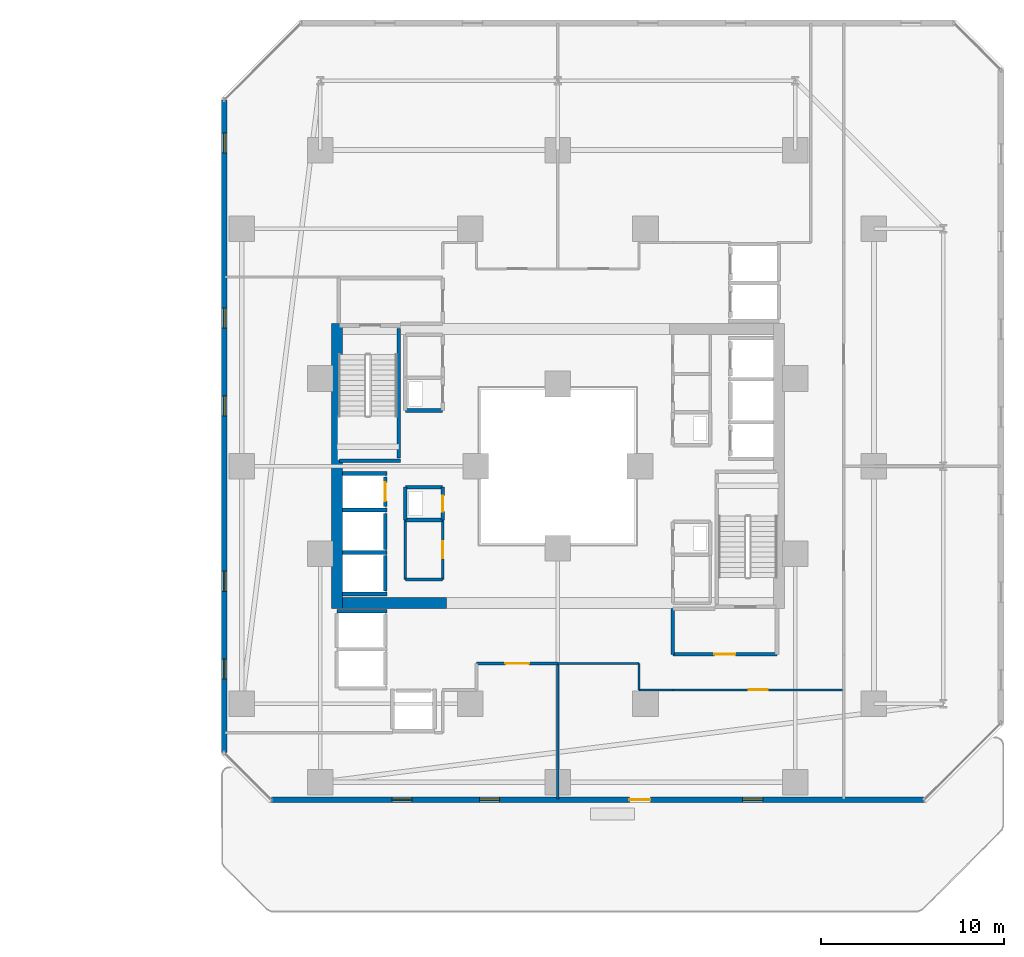
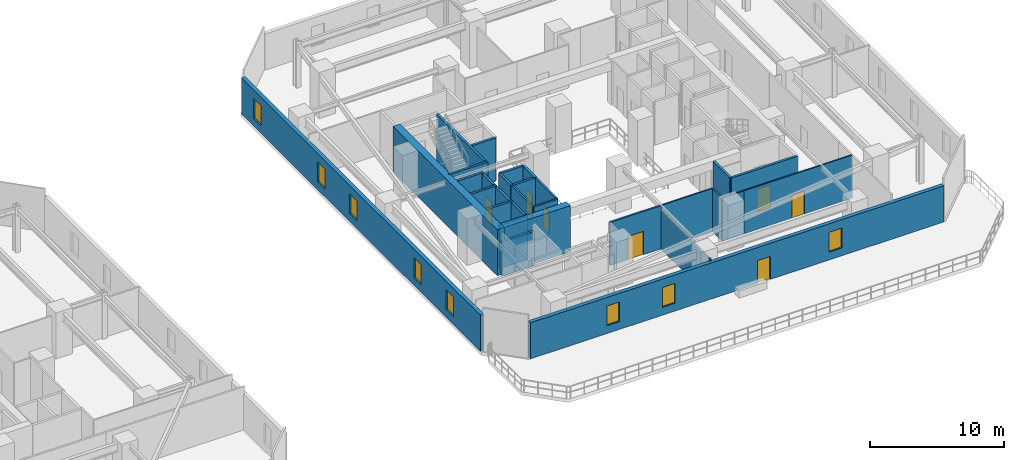
# One storey, part 23 of 33: 30 walls, 8 windows, 7 doors, 15 openings.
"""IFC4 building model written with IfcOpenShell, lengths in metres."""

from ifc_helpers import new_model, si_unit, direction, frame, frame_2d, origin, place, context, subcontext, project, spatial, rectangle, extrude, material, layer, layer_set, type_object, element, fill, save


model = new_model("IFC4")

# Units and contexts
model_context = context("Model", 3, precision=1e-05, world=origin(), true_north=direction((0.0, 1.0)))
body_context = subcontext(model_context, "Body", "Model", "MODEL_VIEW")
ifc_project = project(units=[si_unit("LENGTHUNIT", "METRE"), si_unit("AREAUNIT", "SQUARE_METRE"), si_unit("VOLUMEUNIT", "CUBIC_METRE"), si_unit("PLANEANGLEUNIT", "RADIAN"), si_unit("MASSUNIT", "GRAM", prefix="KILO")], contexts=[model_context])

# Site, building, storey
site_placement = place(None, origin())
site = spatial("IfcSite", under=ifc_project, at=site_placement, CompositionType="ELEMENT")
building_placement = place(site_placement, origin())
building = spatial("IfcBuilding", under=site, at=building_placement, Name="Thornwick Lancets Civic Towers", CompositionType="ELEMENT")
storey_placement = place(building_placement, frame((0.0, 0.0, 49.5)))
storey = spatial("IfcBuildingStorey", under=building, at=storey_placement, Name="L12", CompositionType="ELEMENT", Elevation=49.5)

# Wall, opening, door
ifc_material_1 = material(Name="Concrete blockwork C40/50", Category="masonry")
ifc_layer_1 = layer(ifc_material_1, 0.199951171875, Name="Concrete blockwork C40/50")
ifc_layer_set_1 = layer_set([ifc_layer_1], Name="Concrete blockwork C40/50")
wall_type_1 = type_object("IfcWallType", Name="WALL_COMP_200", PredefinedType="STANDARD", material=ifc_layer_set_1)
wall_1_placement = place(storey_placement, frame((79.050048828125, 24.780029296875, 0.0), z_axis=(0.0, 0.0, 1.0), x_axis=(0.0, 1.0, 0.0)))
wall_1 = element("IfcWall", 1, at=wall_1_placement, inside=storey, type_object=wall_type_1, Name="L12 Hoistway Front Wall FL-B2", PredefinedType="STANDARD", context=body_context, shape_type="SweptSolid", body=[
    extrude(rectangle(XDim=1.639892578125, YDim=0.199951171875, at=frame_2d((0.81982421875, 0.0))), origin(), (0.0, 0.0, 1.0), 3.93994140625),
])
opening_1_placement = place(wall_1_placement, frame((0.31005859375, 0.0, 0.0)))
opening_1 = element("IfcOpeningElement", 2, at=opening_1_placement, cuts=wall_1, Name="Opening LD-FL-B2", PredefinedType="OPENING", context=body_context, shape_type="SweptSolid", body=[
    extrude(rectangle(XDim=1.02001953125, YDim=2.06005859375, at=frame_2d((0.510009765625, 1.030029296875))), frame((0.0, 0.10986328125, 0.0), z_axis=(0.0, -1.0, 0.0), x_axis=(1.0, 0.0, 0.0)), (0.0, 0.0, 1.0), 0.219970703125),
])
ifc_material_2 = material(Name="Brushed bronze stainless steel", Category="steel")
door_type_1 = type_object("IfcDoorType", Name="DOOR_LIFT_SLIDE", OperationType="SLIDING_TO_LEFT", PredefinedType="DOOR", material=ifc_material_2)
door_1_placement = place(opening_1_placement, origin())
door_1 = element("IfcDoor", 3, at=door_1_placement, inside=storey, type_object=door_type_1, Name="L12 Sliding Lift Landing Door LD-FL-B2", OperationType="SLIDING_TO_LEFT", OverallHeight=2.06005859375, OverallWidth=1.02001953125, PredefinedType="DOOR", context=body_context, shape_type="SweptSolid", body=[
    extrude(rectangle(XDim=1.02001953125, YDim=2.06005859375, at=frame_2d((0.510009765625, 1.030029296875))), frame((0.0, 0.02490234375, 0.0), z_axis=(0.0, -1.0, 0.0), x_axis=(1.0, 0.0, 0.0)), (0.0, 0.0, 1.0), 0.050048828125),
])
fill(opening_1, door_1)

# Walls
wall_2_placement = place(storey_placement, frame((79.050048828125, 22.429931640625, 0.0), z_axis=(0.0, 0.0, 1.0), x_axis=(0.0, 1.0, 0.0)))
element("IfcWall", 4, at=wall_2_placement, inside=storey, type_object=wall_type_1, Name="L12 Hoistway Front Wall PL-BH2", PredefinedType="STANDARD", context=body_context, shape_type="SweptSolid", body=[
    extrude(rectangle(XDim=1.989990234375, YDim=0.199951171875, at=frame_2d((0.9951171875, 0.0))), origin(), (0.0, 0.0, 1.0), 3.93994140625),
])
wall_3_placement = place(storey_placement, frame((79.050048828125, 20.179931640625, 0.0), z_axis=(0.0, 0.0, 1.0), x_axis=(0.0, 1.0, 0.0)))
element("IfcWall", 5, at=wall_3_placement, inside=storey, type_object=wall_type_1, Name="L12 Hoistway Front Wall PL-BH3", PredefinedType="STANDARD", context=body_context, shape_type="SweptSolid", body=[
    extrude(rectangle(XDim=1.940185546875, YDim=0.199951171875, at=frame_2d((0.97021484375, 0.0))), origin(), (0.0, 0.0, 1.0), 3.93994140625),
])
for number, where, z_axis, x_axis, name in (
    (6, (76.7119140625, 26.60009765625, 0.0), (0.0, 0.0, 1.0), (1.0, 0.0, 0.0), "L12 Hoistway Shaft Wall FL-B2 N"),
    (7, (76.7119140625, 24.60009765625, 0.0), (0.0, 0.0, 1.0), (1.0, 0.0, 0.0), "L12 Hoistway Shaft Wall FL-B2 S"),
    (8, (76.7119140625, 22.27490234375, 0.0), (0.0, 0.0, 1.0), (1.0, 0.0, 0.0), "L12 Hoistway Shaft Wall PL-BH2 S"),
    (9, (76.7119140625, 20.0, 0.0), (0.0, 0.0, 1.0), (1.0, 0.0, 0.0), "L12 Hoistway Shaft Wall PL-BH3 S"),
):
    element("IfcWall", number, at=place(storey_placement, frame(where, z_axis=z_axis, x_axis=x_axis)), inside=storey, type_object=wall_type_1, Name=name, PredefinedType="STANDARD", context=body_context, shape_type="SweptSolid", body=[
        extrude(rectangle(XDim=2.43603515625, YDim=0.199951171875, at=frame_2d((1.218017578125, 0.0))), origin(), (0.0, 0.0, 1.0), 3.93994140625),
    ])
wall_4_placement = place(storey_placement, frame((76.402099609375, 19.050048828125, 0.0), z_axis=(0.0, 0.0, 1.0), x_axis=(1.0, 0.0, 0.0)))
element("IfcWall", 10, at=wall_4_placement, inside=storey, type_object=wall_type_1, Name="L12 Hoistway Shaft Wall PL-BM1 N", PredefinedType="STANDARD", context=body_context, shape_type="SweptSolid", body=[
    extrude(rectangle(XDim=2.745849609375, YDim=0.199951171875, at=frame_2d((1.373046875, 0.0))), origin(), (0.0, 0.0, 1.0), 3.14501953125),
])

# Wall, opening, door
wall_5_placement = place(storey_placement, frame((94.800048828125, 16.699951171875, 0.0), z_axis=(0.0, 0.0, 1.0), x_axis=(1.0, 0.0, 0.0)))
wall_5 = element("IfcWall", 11, at=wall_5_placement, inside=storey, type_object=wall_type_1, Name="L12 Partition L12-B-FFLOB1 E1", PredefinedType="STANDARD", context=body_context, shape_type="SweptSolid", body=[
    extrude(rectangle(XDim=5.699951171875, YDim=0.199951171875, at=frame_2d((2.85009765625, 0.0))), origin(), (0.0, 0.0, 1.0), 3.93994140625),
])
opening_2_placement = place(wall_5_placement, frame((2.27490234375, 0.0, 0.0)))
opening_2 = element("IfcOpeningElement", 12, at=opening_2_placement, cuts=wall_5, Name="Opening D-L12-0598", PredefinedType="OPENING", context=body_context, shape_type="SweptSolid", body=[
    extrude(rectangle(XDim=1.14990234375, YDim=2.10009765625, at=frame_2d((0.574951171875, 1.050048828125))), frame((0.0, 0.10986328125, 0.0), z_axis=(0.0, -1.0, 0.0), x_axis=(1.0, 0.0, 0.0)), (0.0, 0.0, 1.0), 0.219970703125),
])
ifc_material_3 = material(Name="Glazed fire-resisting steel", Category="steel")
door_type_2 = type_object("IfcDoorType", Name="DOOR_LOBBY_FD60", OperationType="NOTDEFINED", PredefinedType="DOOR", material=ifc_material_3)
door_2_placement = place(opening_2_placement, origin())
door_2 = element("IfcDoor", 13, at=door_2_placement, inside=storey, type_object=door_type_2, Name="L12 East Firefighting Lobby 1 Door", OperationType="SINGLE_SWING_LEFT", OverallHeight=2.10009765625, OverallWidth=1.14990234375, PredefinedType="DOOR", context=body_context, shape_type="SweptSolid", body=[
    extrude(rectangle(XDim=1.14990234375, YDim=2.10009765625, at=frame_2d((0.574951171875, 1.050048828125))), frame((0.0, 0.02490234375, 0.0), z_axis=(0.0, -1.0, 0.0), x_axis=(1.0, 0.0, 0.0)), (0.0, 0.0, 1.0), 0.050048828125),
])
fill(opening_2, door_2)

# Walls
wall_6_placement = place(storey_placement, frame((94.800048828125, 19.199951171875, 0.0), z_axis=(0.0, 0.0, 1.0), x_axis=(0.0, -1.0, 0.0)))
element("IfcWall", 14, at=wall_6_placement, inside=storey, type_object=wall_type_1, Name="L12 Partition L12-B-FFLOB1 E4", PredefinedType="STANDARD", context=body_context, shape_type="SweptSolid", body=[
    extrude(rectangle(XDim=2.5, YDim=0.199951171875, at=frame_2d((1.25, 0.0))), origin(), (0.0, 0.0, 1.0), 3.93994140625),
])
wall_7_placement = place(storey_placement, frame((80.14990234375, 24.050048828125, 0.0), z_axis=(0.0, 0.0, 1.0), x_axis=(1.0, 0.0, 0.0)))
element("IfcWall", 15, at=wall_7_placement, inside=storey, type_object=wall_type_1, Name="L12 Partition L12-B-DUCT2 E1", PredefinedType="STANDARD", context=body_context, shape_type="SweptSolid", body=[
    extrude(rectangle(XDim=2.050048828125, YDim=0.199951171875, at=frame_2d((1.02490234375, 0.0))), origin(), (0.0, 0.0, 1.0), 3.93994140625),
])

# Wall, opening, door
wall_8_placement = place(storey_placement, frame((82.199951171875, 24.050048828125, 0.0), z_axis=(0.0, 0.0, 1.0), x_axis=(0.0, 1.0, 0.0)))
wall_8 = element("IfcWall", 16, at=wall_8_placement, inside=storey, type_object=wall_type_1, Name="L12 Partition L12-B-DUCT2 E2", PredefinedType="STANDARD", context=body_context, shape_type="SweptSolid", body=[
    extrude(rectangle(XDim=1.800048828125, YDim=0.199951171875, at=frame_2d((0.89990234375, 0.0))), origin(), (0.0, 0.0, 1.0), 3.93994140625),
])
opening_3_placement = place(wall_8_placement, frame((0.4599609375, 0.0, 0.0)))
opening_3 = element("IfcOpeningElement", 17, at=opening_3_placement, cuts=wall_8, Name="Opening D-L12-0602", PredefinedType="OPENING", context=body_context, shape_type="SweptSolid", body=[
    extrude(rectangle(XDim=0.8798828125, YDim=2.0400390625, at=frame_2d((0.43994140625, 1.02001953125))), frame((0.0, 0.10986328125, 0.0), z_axis=(0.0, -1.0, 0.0), x_axis=(1.0, 0.0, 0.0)), (0.0, 0.0, 1.0), 0.219970703125),
])
ifc_material_4 = material(Name="Steel riser access doorset", Category="steel")
door_type_3 = type_object("IfcDoorType", Name="DOOR_RISER_850", OperationType="NOTDEFINED", PredefinedType="DOOR", material=ifc_material_4)
door_3_placement = place(opening_3_placement, origin())
door_3 = element("IfcDoor", 18, at=door_3_placement, inside=storey, type_object=door_type_3, Name="L12 West Service Duct 2 Door", OperationType="SINGLE_SWING_LEFT", OverallHeight=2.0400390625, OverallWidth=0.8798828125, PredefinedType="DOOR", context=body_context, shape_type="SweptSolid", body=[
    extrude(rectangle(XDim=0.8798828125, YDim=2.0400390625, at=frame_2d((0.43994140625, 1.02001953125))), frame((0.0, 0.02490234375, 0.0), z_axis=(0.0, -1.0, 0.0), x_axis=(1.0, 0.0, 0.0)), (0.0, 0.0, 1.0), 0.050048828125),
])
fill(opening_3, door_3)

# Walls
wall_9_placement = place(storey_placement, frame((82.199951171875, 25.85009765625, 0.0), z_axis=(0.0, 0.0, 1.0), x_axis=(-1.0, 0.0, 0.0)))
element("IfcWall", 19, at=wall_9_placement, inside=storey, type_object=wall_type_1, Name="L12 Partition L12-B-DUCT2 E3", PredefinedType="STANDARD", context=body_context, shape_type="SweptSolid", body=[
    extrude(rectangle(XDim=2.050048828125, YDim=0.199951171875, at=frame_2d((1.02490234375, 0.0))), origin(), (0.0, 0.0, 1.0), 3.93994140625),
])
wall_10_placement = place(storey_placement, frame((80.14990234375, 25.85009765625, 0.0), z_axis=(0.0, 0.0, 1.0), x_axis=(0.0, -1.0, 0.0)))
element("IfcWall", 20, at=wall_10_placement, inside=storey, type_object=wall_type_1, Name="L12 Partition L12-B-DUCT2 E4", PredefinedType="STANDARD", context=body_context, shape_type="SweptSolid", body=[
    extrude(rectangle(XDim=1.800048828125, YDim=0.199951171875, at=frame_2d((0.89990234375, 0.0))), origin(), (0.0, 0.0, 1.0), 3.93994140625),
])
wall_11_placement = place(storey_placement, frame((80.14990234375, 30.050048828125, 0.0), z_axis=(0.0, 0.0, 1.0), x_axis=(1.0, 0.0, 0.0)))
element("IfcWall", 21, at=wall_11_placement, inside=storey, type_object=wall_type_1, Name="L12 Partition L12-B-RISER2 E1", PredefinedType="STANDARD", context=body_context, shape_type="SweptSolid", body=[
    extrude(rectangle(XDim=2.050048828125, YDim=0.199951171875, at=frame_2d((1.02490234375, 0.0))), origin(), (0.0, 0.0, 1.0), 3.93994140625),
])
ifc_material_5 = material(Name="Concrete C60/75", Category="concrete")
ifc_layer_2 = layer(ifc_material_5, 0.60009765625, Name="Concrete C60/75")
ifc_layer_set_2 = layer_set([ifc_layer_2], Name="Concrete C60/75")
wall_type_2 = type_object("IfcWallType", Name="WALL_CORE_600", PredefinedType="SHEAR", material=ifc_layer_set_2)
wall_12_placement = place(storey_placement, frame((76.39990234375, 19.199951171875, 0.0), z_axis=(0.0, 0.0, 1.0), x_axis=(0.0, 1.0, 0.0)))
element("IfcWall", 22, at=wall_12_placement, inside=storey, type_object=wall_type_2, Name="L12 Split Core B2 Shear Wall W", PredefinedType="SHEAR", context=body_context, shape_type="SweptSolid", body=[
    extrude(rectangle(XDim=15.60009765625, YDim=0.60009765625, at=frame_2d((7.800048828125, 0.0))), origin(), (0.0, 0.0, 1.0), 4.199951171875),
])
wall_13_placement = place(storey_placement, frame((76.699951171875, 19.5, 0.0), z_axis=(0.0, 0.0, 1.0), x_axis=(1.0, 0.0, 0.0)))
element("IfcWall", 23, at=wall_13_placement, inside=storey, type_object=wall_type_2, Name="L12 Split Core B2 Shear Wall S", PredefinedType="SHEAR", context=body_context, shape_type="SweptSolid", body=[
    extrude(rectangle(XDim=5.699951171875, YDim=0.60009765625, at=frame_2d((2.85009765625, 0.0))), origin(), (0.0, 0.0, 1.0), 4.199951171875),
])

# Wall, openings, door, windows
ifc_material_6 = material(Name="Insulated buff terracotta rainscreen on concrete C40/50", Category="masonry")
ifc_layer_3 = layer(ifc_material_6, 0.320068359375, Name="Insulated buff terracotta rainscreen on concrete C40/50")
ifc_layer_set_3 = layer_set([ifc_layer_3], Name="Insulated buff terracotta rainscreen on concrete C40/50")
wall_type_3 = type_object("IfcWallType", Name="WALL_EXT_TERRA_320", PredefinedType="STANDARD", material=ifc_layer_set_3)
wall_14_placement = place(storey_placement, frame((72.81884765625, 8.735107421875, 0.0), z_axis=(0.0, 0.0, 1.0), x_axis=(0.999999988703, 0.000150313265, 0.0)))
wall_14 = element("IfcWall", 24, at=wall_14_placement, inside=storey, type_object=wall_type_3, Name="L12 Tower B Terracotta Facade Wall E0", PredefinedType="STANDARD", context=body_context, shape_type="SweptSolid", body=[
    extrude(rectangle(XDim=35.732666015625, YDim=0.320068359375, at=frame_2d((17.8662109375, 0.0))), origin(), (0.0, 0.0, 1.0), 3.300048828125),
])
opening_4_placement = place(wall_14_placement, frame((19.59130859375, 0.0, 0.0)))
opening_4 = element("IfcOpeningElement", 25, at=opening_4_placement, cuts=wall_14, Name="Opening D-SG-L12-B0", PredefinedType="OPENING", context=body_context, shape_type="SweptSolid", body=[
    extrude(rectangle(XDim=1.14990234375, YDim=2.10009765625, at=frame_2d((0.574951171875, 1.050048828125))), frame((0.0, 0.169921875, 0.0), z_axis=(0.0, -1.0, 0.0), x_axis=(1.0, 0.0, 0.0)), (0.0, 0.0, 1.0), 0.340087890625),
])
opening_5_placement = place(wall_14_placement, frame((6.60009765625, 0.0, 0.719970703125)))
opening_5 = element("IfcOpeningElement", 26, at=opening_5_placement, cuts=wall_14, Name="Opening WL-02", PredefinedType="OPENING", context=body_context, shape_type="SweptSolid", body=[
    extrude(rectangle(XDim=1.10009765625, YDim=1.800048828125, at=frame_2d((0.550048828125, 0.89990234375))), frame((0.0, 0.169921875, 0.0), z_axis=(0.0, -1.0, 0.0), x_axis=(1.0, 0.0, 0.0)), (0.0, 0.0, 1.0), 0.340087890625),
])
opening_6_placement = place(wall_14_placement, frame((11.39990234375, 0.0, 0.719970703125)))
opening_6 = element("IfcOpeningElement", 27, at=opening_6_placement, cuts=wall_14, Name="Opening WL-02", PredefinedType="OPENING", context=body_context, shape_type="SweptSolid", body=[
    extrude(rectangle(XDim=1.10009765625, YDim=1.800048828125, at=frame_2d((0.550048828125, 0.89990234375))), frame((0.0, 0.169921875, 0.0), z_axis=(0.0, -1.0, 0.0), x_axis=(1.0, 0.0, 0.0)), (0.0, 0.0, 1.0), 0.340087890625),
])
opening_7_placement = place(wall_14_placement, frame((25.800048828125, 0.0, 0.719970703125)))
opening_7 = element("IfcOpeningElement", 28, at=opening_7_placement, cuts=wall_14, Name="Opening WL-02", PredefinedType="OPENING", context=body_context, shape_type="SweptSolid", body=[
    extrude(rectangle(XDim=1.10009765625, YDim=1.800048828125, at=frame_2d((0.550048828125, 0.89990234375))), frame((0.0, 0.169921875, 0.0), z_axis=(0.0, -1.0, 0.0), x_axis=(1.0, 0.0, 0.0)), (0.0, 0.0, 1.0), 0.340087890625),
])
ifc_material_7 = material(Name="Thermally broken glazed terrace doorset")
door_type_4 = type_object("IfcDoorType", Name="DOOR_TERRACE_1200", OperationType="NOTDEFINED", PredefinedType="DOOR", material=ifc_material_7)
door_4_placement = place(opening_4_placement, origin())
door_4 = element("IfcDoor", 29, at=door_4_placement, inside=storey, type_object=door_type_4, Name="L12 Tower B Sky-Garden Terrace Door", OperationType="SINGLE_SWING_RIGHT", OverallHeight=2.10009765625, OverallWidth=1.14990234375, PredefinedType="DOOR", context=body_context, shape_type="SweptSolid", body=[
    extrude(rectangle(XDim=1.14990234375, YDim=2.10009765625, at=frame_2d((0.574951171875, 1.050048828125))), frame((0.0, 0.02490234375, 0.0), z_axis=(0.0, -1.0, 0.0), x_axis=(1.0, 0.0, 0.0)), (0.0, 0.0, 1.0), 0.050048828125),
])
fill(opening_4, door_4)
ifc_material_8 = material(Name="Clear low-e double glazing in bronze frame", Category="glass")
window_type = type_object("IfcWindowType", Name="WIN_LANCET_1100", PartitioningType="SINGLE_PANEL", PredefinedType="WINDOW", material=ifc_material_8)
window_1_placement = place(opening_5_placement, origin())
window_1 = element("IfcWindow", 30, at=window_1_placement, inside=storey, type_object=window_type, Name="L12 Tower B Staggered Lancet Window E0-1", OverallHeight=1.800048828125, OverallWidth=1.10009765625, PartitioningType="SINGLE_PANEL", PredefinedType="WINDOW", context=body_context, shape_type="SweptSolid", body=[
    extrude(rectangle(XDim=1.10009765625, YDim=1.800048828125, at=frame_2d((0.550048828125, 0.89990234375))), frame((0.0, 0.030029296875, 0.0), z_axis=(0.0, -1.0, 0.0), x_axis=(1.0, 0.0, 0.0)), (0.0, 0.0, 1.0), 0.06005859375),
])
fill(opening_5, window_1)
window_2_placement = place(opening_6_placement, origin())
window_2 = element("IfcWindow", 31, at=window_2_placement, inside=storey, type_object=window_type, Name="L12 Tower B Staggered Lancet Window E0-2", OverallHeight=1.800048828125, OverallWidth=1.10009765625, PartitioningType="SINGLE_PANEL", PredefinedType="WINDOW", context=body_context, shape_type="SweptSolid", body=[
    extrude(rectangle(XDim=1.10009765625, YDim=1.800048828125, at=frame_2d((0.550048828125, 0.89990234375))), frame((0.0, 0.030029296875, 0.0), z_axis=(0.0, -1.0, 0.0), x_axis=(1.0, 0.0, 0.0)), (0.0, 0.0, 1.0), 0.06005859375),
])
fill(opening_6, window_2)
window_3_placement = place(opening_7_placement, origin())
window_3 = element("IfcWindow", 32, at=window_3_placement, inside=storey, type_object=window_type, Name="L12 Tower B Staggered Lancet Window E0-3", OverallHeight=1.800048828125, OverallWidth=1.10009765625, PartitioningType="SINGLE_PANEL", PredefinedType="WINDOW", context=body_context, shape_type="SweptSolid", body=[
    extrude(rectangle(XDim=1.10009765625, YDim=1.800048828125, at=frame_2d((0.550048828125, 0.89990234375))), frame((0.0, 0.030029296875, 0.0), z_axis=(0.0, -1.0, 0.0), x_axis=(1.0, 0.0, 0.0)), (0.0, 0.0, 1.0), 0.06005859375),
])
fill(opening_7, window_3)

# Wall, openings, windows
wall_15_placement = place(storey_placement, frame((70.240478515625, 47.051513671875, 0.0), z_axis=(0.0, 0.0, 1.0), x_axis=(-0.000150313265, -0.999999988703, 0.0)))
wall_15 = element("IfcWall", 33, at=wall_15_placement, inside=storey, type_object=wall_type_3, Name="L12 Tower B Terracotta Facade Wall E6", PredefinedType="STANDARD", context=body_context, shape_type="SweptSolid", body=[
    extrude(rectangle(XDim=35.732666015625, YDim=0.320068359375, at=frame_2d((17.8662109375, 0.0))), origin(), (0.0, 0.0, 1.0), 3.300048828125),
])
opening_8_placement = place(wall_15_placement, frame((1.800048828125, 0.0, 0.719970703125)))
opening_8 = element("IfcOpeningElement", 34, at=opening_8_placement, cuts=wall_15, Name="Opening WL-02", PredefinedType="OPENING", context=body_context, shape_type="SweptSolid", body=[
    extrude(rectangle(XDim=1.10009765625, YDim=1.800048828125, at=frame_2d((0.550048828125, 0.89990234375))), frame((0.0, 0.169921875, 0.0), z_axis=(0.0, -1.0, 0.0), x_axis=(1.0, 0.0, 0.0)), (0.0, 0.0, 1.0), 0.340087890625),
])
opening_9_placement = place(wall_15_placement, frame((11.39990234375, 0.0, 0.719970703125)))
opening_9 = element("IfcOpeningElement", 35, at=opening_9_placement, cuts=wall_15, Name="Opening WL-02", PredefinedType="OPENING", context=body_context, shape_type="SweptSolid", body=[
    extrude(rectangle(XDim=1.10009765625, YDim=1.800048828125, at=frame_2d((0.550048828125, 0.89990234375))), frame((0.0, 0.169921875, 0.0), z_axis=(0.0, -1.0, 0.0), x_axis=(1.0, 0.0, 0.0)), (0.0, 0.0, 1.0), 0.340087890625),
])
opening_10_placement = place(wall_15_placement, frame((16.199951171875, 0.0, 0.719970703125)))
opening_10 = element("IfcOpeningElement", 36, at=opening_10_placement, cuts=wall_15, Name="Opening WL-02", PredefinedType="OPENING", context=body_context, shape_type="SweptSolid", body=[
    extrude(rectangle(XDim=1.10009765625, YDim=1.800048828125, at=frame_2d((0.550048828125, 0.89990234375))), frame((0.0, 0.169921875, 0.0), z_axis=(0.0, -1.0, 0.0), x_axis=(1.0, 0.0, 0.0)), (0.0, 0.0, 1.0), 0.340087890625),
])
opening_11_placement = place(wall_15_placement, frame((25.800048828125, 0.0, 0.719970703125)))
opening_11 = element("IfcOpeningElement", 37, at=opening_11_placement, cuts=wall_15, Name="Opening WL-02", PredefinedType="OPENING", context=body_context, shape_type="SweptSolid", body=[
    extrude(rectangle(XDim=1.10009765625, YDim=1.800048828125, at=frame_2d((0.550048828125, 0.89990234375))), frame((0.0, 0.169921875, 0.0), z_axis=(0.0, -1.0, 0.0), x_axis=(1.0, 0.0, 0.0)), (0.0, 0.0, 1.0), 0.340087890625),
])
opening_12_placement = place(wall_15_placement, frame((30.60009765625, 0.0, 0.719970703125)))
opening_12 = element("IfcOpeningElement", 38, at=opening_12_placement, cuts=wall_15, Name="Opening WL-02", PredefinedType="OPENING", context=body_context, shape_type="SweptSolid", body=[
    extrude(rectangle(XDim=1.10009765625, YDim=1.800048828125, at=frame_2d((0.550048828125, 0.89990234375))), frame((0.0, 0.169921875, 0.0), z_axis=(0.0, -1.0, 0.0), x_axis=(1.0, 0.0, 0.0)), (0.0, 0.0, 1.0), 0.340087890625),
])
window_4_placement = place(opening_8_placement, origin())
window_4 = element("IfcWindow", 39, at=window_4_placement, inside=storey, type_object=window_type, Name="L12 Tower B Staggered Lancet Window E6-1", OverallHeight=1.800048828125, OverallWidth=1.10009765625, PartitioningType="SINGLE_PANEL", PredefinedType="WINDOW", context=body_context, shape_type="SweptSolid", body=[
    extrude(rectangle(XDim=1.10009765625, YDim=1.800048828125, at=frame_2d((0.550048828125, 0.89990234375))), frame((0.0, 0.030029296875, 0.0), z_axis=(0.0, -1.0, 0.0), x_axis=(1.0, 0.0, 0.0)), (0.0, 0.0, 1.0), 0.06005859375),
])
fill(opening_8, window_4)
window_5_placement = place(opening_9_placement, origin())
window_5 = element("IfcWindow", 40, at=window_5_placement, inside=storey, type_object=window_type, Name="L12 Tower B Staggered Lancet Window E6-2", OverallHeight=1.800048828125, OverallWidth=1.10009765625, PartitioningType="SINGLE_PANEL", PredefinedType="WINDOW", context=body_context, shape_type="SweptSolid", body=[
    extrude(rectangle(XDim=1.10009765625, YDim=1.800048828125, at=frame_2d((0.550048828125, 0.89990234375))), frame((0.0, 0.030029296875, 0.0), z_axis=(0.0, -1.0, 0.0), x_axis=(1.0, 0.0, 0.0)), (0.0, 0.0, 1.0), 0.06005859375),
])
fill(opening_9, window_5)
window_6_placement = place(opening_10_placement, origin())
window_6 = element("IfcWindow", 41, at=window_6_placement, inside=storey, type_object=window_type, Name="L12 Tower B Staggered Lancet Window E6-3", OverallHeight=1.800048828125, OverallWidth=1.10009765625, PartitioningType="SINGLE_PANEL", PredefinedType="WINDOW", context=body_context, shape_type="SweptSolid", body=[
    extrude(rectangle(XDim=1.10009765625, YDim=1.800048828125, at=frame_2d((0.550048828125, 0.89990234375))), frame((0.0, 0.030029296875, 0.0), z_axis=(0.0, -1.0, 0.0), x_axis=(1.0, 0.0, 0.0)), (0.0, 0.0, 1.0), 0.06005859375),
])
fill(opening_10, window_6)
window_7_placement = place(opening_11_placement, origin())
window_7 = element("IfcWindow", 42, at=window_7_placement, inside=storey, type_object=window_type, Name="L12 Tower B Staggered Lancet Window E6-4", OverallHeight=1.800048828125, OverallWidth=1.10009765625, PartitioningType="SINGLE_PANEL", PredefinedType="WINDOW", context=body_context, shape_type="SweptSolid", body=[
    extrude(rectangle(XDim=1.10009765625, YDim=1.800048828125, at=frame_2d((0.550048828125, 0.89990234375))), frame((0.0, 0.030029296875, 0.0), z_axis=(0.0, -1.0, 0.0), x_axis=(1.0, 0.0, 0.0)), (0.0, 0.0, 1.0), 0.06005859375),
])
fill(opening_11, window_7)
window_8_placement = place(opening_12_placement, origin())
window_8 = element("IfcWindow", 43, at=window_8_placement, inside=storey, type_object=window_type, Name="L12 Tower B Staggered Lancet Window E6-5", OverallHeight=1.800048828125, OverallWidth=1.10009765625, PartitioningType="SINGLE_PANEL", PredefinedType="WINDOW", context=body_context, shape_type="SweptSolid", body=[
    extrude(rectangle(XDim=1.10009765625, YDim=1.800048828125, at=frame_2d((0.550048828125, 0.89990234375))), frame((0.0, 0.030029296875, 0.0), z_axis=(0.0, -1.0, 0.0), x_axis=(1.0, 0.0, 0.0)), (0.0, 0.0, 1.0), 0.06005859375),
])
fill(opening_12, window_8)

# Walls
ifc_material_9 = material(Name="Acoustic gypsum board partition")
ifc_layer_4 = layer(ifc_material_9, 0.1201171875, Name="Acoustic gypsum board partition")
ifc_layer_set_4 = layer_set([ifc_layer_4], Name="Acoustic gypsum board partition")
wall_type_4 = type_object("IfcWallType", Name="WALL_PART_120", PredefinedType="PARTITIONING", material=ifc_layer_set_4)
wall_16_placement = place(storey_placement, frame((92.949951171875, 16.199951171875, 0.0), z_axis=(0.0, 0.0, 1.0), x_axis=(0.0, -1.0, 0.0)))
element("IfcWall", 44, at=wall_16_placement, inside=storey, type_object=wall_type_4, Name="L12 Partition L12-B-W1 E1", PredefinedType="PARTITIONING", context=body_context, shape_type="SweptSolid", body=[
    extrude(rectangle(XDim=1.449951171875, YDim=0.1201171875, at=frame_2d((0.72509765625, 0.0))), origin(), (0.0, 0.0, 1.0), 3.93994140625),
])
wall_17_placement = place(storey_placement, frame((92.949951171875, 14.75, 0.0), z_axis=(0.0, 0.0, 1.0), x_axis=(1.0, 0.0, 0.0)))
element("IfcWall", 45, at=wall_17_placement, inside=storey, type_object=wall_type_4, Name="L12 Partition L12-B-W1 E2", PredefinedType="PARTITIONING", context=body_context, shape_type="SweptSolid", body=[
    extrude(rectangle(XDim=1.85009765625, YDim=0.1201171875, at=frame_2d((0.925048828125, 0.0))), origin(), (0.0, 0.0, 1.0), 3.93994140625),
])

# Wall, opening, door
wall_18_placement = place(storey_placement, frame((94.800048828125, 14.75, 0.0), z_axis=(0.0, 0.0, 1.0), x_axis=(1.0, 0.0, 0.0)))
wall_18 = element("IfcWall", 46, at=wall_18_placement, inside=storey, type_object=wall_type_4, Name="L12 Partition L12-B-W1 E3", PredefinedType="PARTITIONING", context=body_context, shape_type="SweptSolid", body=[
    extrude(rectangle(XDim=9.349853515625, YDim=0.1201171875, at=frame_2d((4.6748046875, 0.0))), origin(), (0.0, 0.0, 1.0), 3.93994140625),
])
opening_13_placement = place(wall_18_placement, frame((4.14990234375, 0.0, 0.0)))
opening_13 = element("IfcOpeningElement", 47, at=opening_13_placement, cuts=wall_18, Name="Opening D-L12-0615", PredefinedType="OPENING", context=body_context, shape_type="SweptSolid", body=[
    extrude(rectangle(XDim=1.050048828125, YDim=2.10009765625, at=frame_2d((0.52490234375, 1.050048828125))), frame((0.0, 0.070068359375, 0.0), z_axis=(0.0, -1.0, 0.0), x_axis=(1.0, 0.0, 0.0)), (0.0, 0.0, 1.0), 0.14013671875),
])
ifc_material_10 = material(Name="Glazed European oak executive doorset")
door_type_5 = type_object("IfcDoorType", Name="DOOR_OFFICE_1050", OperationType="NOTDEFINED", PredefinedType="DOOR", material=ifc_material_10)
door_5_placement = place(opening_13_placement, origin())
door_5 = element("IfcDoor", 48, at=door_5_placement, inside=storey, type_object=door_type_5, Name="L12 Tower B Ministry Directorate Office W1 Door", OperationType="SINGLE_SWING_RIGHT", OverallHeight=2.10009765625, OverallWidth=1.050048828125, PredefinedType="DOOR", context=body_context, shape_type="SweptSolid", body=[
    extrude(rectangle(XDim=1.050048828125, YDim=2.10009765625, at=frame_2d((0.52490234375, 1.050048828125))), frame((0.0, 0.02490234375, 0.0), z_axis=(0.0, -1.0, 0.0), x_axis=(1.0, 0.0, 0.0)), (0.0, 0.0, 1.0), 0.050048828125),
])
fill(opening_13, door_5)

# Walls
wall_19_placement = place(storey_placement, frame((88.5, 8.780029296875, 0.0), z_axis=(0.0, 0.0, 1.0), x_axis=(0.0, 1.0, 0.0)))
element("IfcWall", 49, at=wall_19_placement, inside=storey, type_object=wall_type_4, Name="L12 Partition L12-B-W1 E6", PredefinedType="PARTITIONING", context=body_context, shape_type="SweptSolid", body=[
    extrude(rectangle(XDim=7.419921875, YDim=0.1201171875, at=frame_2d((3.7099609375, 0.0))), origin(), (0.0, 0.0, 1.0), 3.5322265625),
])
wall_20_placement = place(storey_placement, frame((88.5, 16.199951171875, 0.0), z_axis=(0.0, 0.0, 1.0), x_axis=(1.0, 0.0, 0.0)))
element("IfcWall", 50, at=wall_20_placement, inside=storey, type_object=wall_type_4, Name="L12 Partition L12-B-W1 E7", PredefinedType="PARTITIONING", context=body_context, shape_type="SweptSolid", body=[
    extrude(rectangle(XDim=4.449951171875, YDim=0.1201171875, at=frame_2d((2.22509765625, 0.0))), origin(), (0.0, 0.0, 1.0), 3.93994140625),
])
ifc_material_11 = material(Name="Twin-stud acoustic gypsum board")
ifc_layer_5 = layer(ifc_material_11, 0.14990234375, Name="Twin-stud acoustic gypsum board")
ifc_layer_set_5 = layer_set([ifc_layer_5], Name="Twin-stud acoustic gypsum board")
wall_type_5 = type_object("IfcWallType", Name="WALL_PART_150", PredefinedType="PARTITIONING", material=ifc_layer_set_5)
wall_21_placement = place(storey_placement, frame((82.199951171875, 20.800048828125, 0.0), z_axis=(0.0, 0.0, 1.0), x_axis=(-1.0, 0.0, 0.0)))
element("IfcWall", 51, at=wall_21_placement, inside=storey, type_object=wall_type_5, Name="L12 Partition L12-B-FWC E1", PredefinedType="PARTITIONING", context=body_context, shape_type="SweptSolid", body=[
    extrude(rectangle(XDim=2.050048828125, YDim=0.14990234375, at=frame_2d((1.02490234375, 0.0))), origin(), (0.0, 0.0, 1.0), 3.93994140625),
])
wall_22_placement = place(storey_placement, frame((80.14990234375, 20.800048828125, 0.0), z_axis=(0.0, 0.0, 1.0), x_axis=(0.0, 1.0, 0.0)))
element("IfcWall", 52, at=wall_22_placement, inside=storey, type_object=wall_type_5, Name="L12 Partition L12-B-FWC E2", PredefinedType="PARTITIONING", context=body_context, shape_type="SweptSolid", body=[
    extrude(rectangle(XDim=3.25, YDim=0.14990234375, at=frame_2d((1.625, 0.0))), origin(), (0.0, 0.0, 1.0), 3.93994140625),
])

# Wall, opening, door
wall_23_placement = place(storey_placement, frame((82.199951171875, 24.050048828125, 0.0), z_axis=(0.0, 0.0, 1.0), x_axis=(0.0, -1.0, 0.0)))
wall_23 = element("IfcWall", 53, at=wall_23_placement, inside=storey, type_object=wall_type_5, Name="L12 Partition L12-B-FWC E4", PredefinedType="PARTITIONING", context=body_context, shape_type="SweptSolid", body=[
    extrude(rectangle(XDim=3.25, YDim=0.14990234375, at=frame_2d((1.625, 0.0))), origin(), (0.0, 0.0, 1.0), 3.93994140625),
])
opening_14_placement = place(wall_23_placement, frame((1.1650390625, 0.0, 0.0)))
opening_14 = element("IfcOpeningElement", 54, at=opening_14_placement, cuts=wall_23, Name="Opening D-L12-0607", PredefinedType="OPENING", context=body_context, shape_type="SweptSolid", body=[
    extrude(rectangle(XDim=0.919921875, YDim=2.080078125, at=frame_2d((0.4599609375, 1.0400390625))), frame((0.0, 0.0849609375, 0.0), z_axis=(0.0, -1.0, 0.0), x_axis=(1.0, 0.0, 0.0)), (0.0, 0.0, 1.0), 0.169921875),
])
ifc_material_12 = material(Name="Moisture-resistant oak doorset")
door_type_6 = type_object("IfcDoorType", Name="DOOR_WC_900", OperationType="NOTDEFINED", PredefinedType="DOOR", material=ifc_material_12)
door_6_placement = place(opening_14_placement, origin())
door_6 = element("IfcDoor", 55, at=door_6_placement, inside=storey, type_object=door_type_6, Name="L12 Tower B Female WC Door", OperationType="SINGLE_SWING_RIGHT", OverallHeight=2.080078125, OverallWidth=0.919921875, PredefinedType="DOOR", context=body_context, shape_type="SweptSolid", body=[
    extrude(rectangle(XDim=0.919921875, YDim=2.080078125, at=frame_2d((0.4599609375, 1.0400390625))), frame((0.0, 0.02490234375, 0.0), z_axis=(0.0, -1.0, 0.0), x_axis=(1.0, 0.0, 0.0)), (0.0, 0.0, 1.0), 0.050048828125),
])
fill(opening_14, door_6)

wall_24_placement = place(storey_placement, frame((84.050048828125, 16.199951171875, 0.0), z_axis=(0.0, 0.0, 1.0), x_axis=(1.0, 0.0, 0.0)))
wall_24 = element("IfcWall", 56, at=wall_24_placement, inside=storey, type_object=wall_type_5, Name="L12 Partition L12-B-W2 E4", PredefinedType="PARTITIONING", context=body_context, shape_type="SweptSolid", body=[
    extrude(rectangle(XDim=4.449951171875, YDim=0.14990234375, at=frame_2d((2.22509765625, 0.0))), origin(), (0.0, 0.0, 1.0), 3.93994140625),
])
opening_15_placement = place(wall_24_placement, frame((1.574951171875, 0.0, 0.0)))
opening_15 = element("IfcOpeningElement", 57, at=opening_15_placement, cuts=wall_24, Name="Opening D-L12-0616", PredefinedType="OPENING", context=body_context, shape_type="SweptSolid", body=[
    extrude(rectangle(XDim=1.300048828125, YDim=2.1201171875, at=frame_2d((0.64990234375, 1.06005859375))), frame((0.0, 0.0849609375, 0.0), z_axis=(0.0, -1.0, 0.0), x_axis=(1.0, 0.0, 0.0)), (0.0, 0.0, 1.0), 0.169921875),
])
ifc_material_13 = material(Name="Acoustic oak leaf-and-a-half doorset")
door_type_7 = type_object("IfcDoorType", Name="DOOR_MEET_1300", OperationType="DOUBLE_DOOR_SINGLE_SWING", PredefinedType="DOOR", material=ifc_material_13)
door_7_placement = place(opening_15_placement, origin())
door_7 = element("IfcDoor", 58, at=door_7_placement, inside=storey, type_object=door_type_7, Name="L12 Tower B Policy Briefing Room W2 Door", OperationType="DOUBLE_DOOR_SINGLE_SWING", OverallHeight=2.1201171875, OverallWidth=1.300048828125, PredefinedType="DOOR", context=body_context, shape_type="SweptSolid", body=[
    extrude(rectangle(XDim=1.300048828125, YDim=2.1201171875, at=frame_2d((0.64990234375, 1.06005859375))), frame((0.0, 0.02490234375, 0.0), z_axis=(0.0, -1.0, 0.0), x_axis=(1.0, 0.0, 0.0)), (0.0, 0.0, 1.0), 0.050048828125),
])
fill(opening_15, door_7)

# Walls
ifc_material_14 = material(Name="Concrete C40/50", Category="concrete")
ifc_layer_6 = layer(ifc_material_14, 0.199951171875, Name="Concrete C40/50")
ifc_layer_set_6 = layer_set([ifc_layer_6], Name="Concrete C40/50")
wall_type_6 = type_object("IfcWallType", Name="WALL_SHAFT_200", PredefinedType="SHEAR", material=ifc_layer_set_6)
wall_25_placement = place(storey_placement, frame((79.89990234375, 27.300048828125, 0.0), z_axis=(0.0, 0.0, 1.0), x_axis=(-1.0, 0.0, 0.0)))
element("IfcWall", 59, at=wall_25_placement, inside=storey, type_object=wall_type_6, Name="L12 ST-B2 Fire Stair Core Wall FAR", PredefinedType="SHEAR", context=body_context, shape_type="SweptSolid", body=[
    extrude(rectangle(XDim=3.349853515625, YDim=0.199951171875, at=frame_2d((1.6748046875, 0.0))), origin(), (0.0, 0.0, 1.0), 4.199951171875),
])
wall_26_placement = place(storey_placement, frame((79.797119140625, 27.449951171875, 0.0), z_axis=(0.0, 0.0, 1.0), x_axis=(0.0, 1.0, 0.0)))
element("IfcWall", 60, at=wall_26_placement, inside=storey, type_object=wall_type_6, Name="L12 ST-B2 Fire Stair Core Wall RIGHT", PredefinedType="SHEAR", context=body_context, shape_type="SweptSolid", body=[
    extrude(rectangle(XDim=7.10009765625, YDim=0.199951171875, at=frame_2d((3.550048828125, 0.0))), origin(), (0.0, 0.0, 1.0), 4.199951171875),
])

save(model, "model.ifc")
